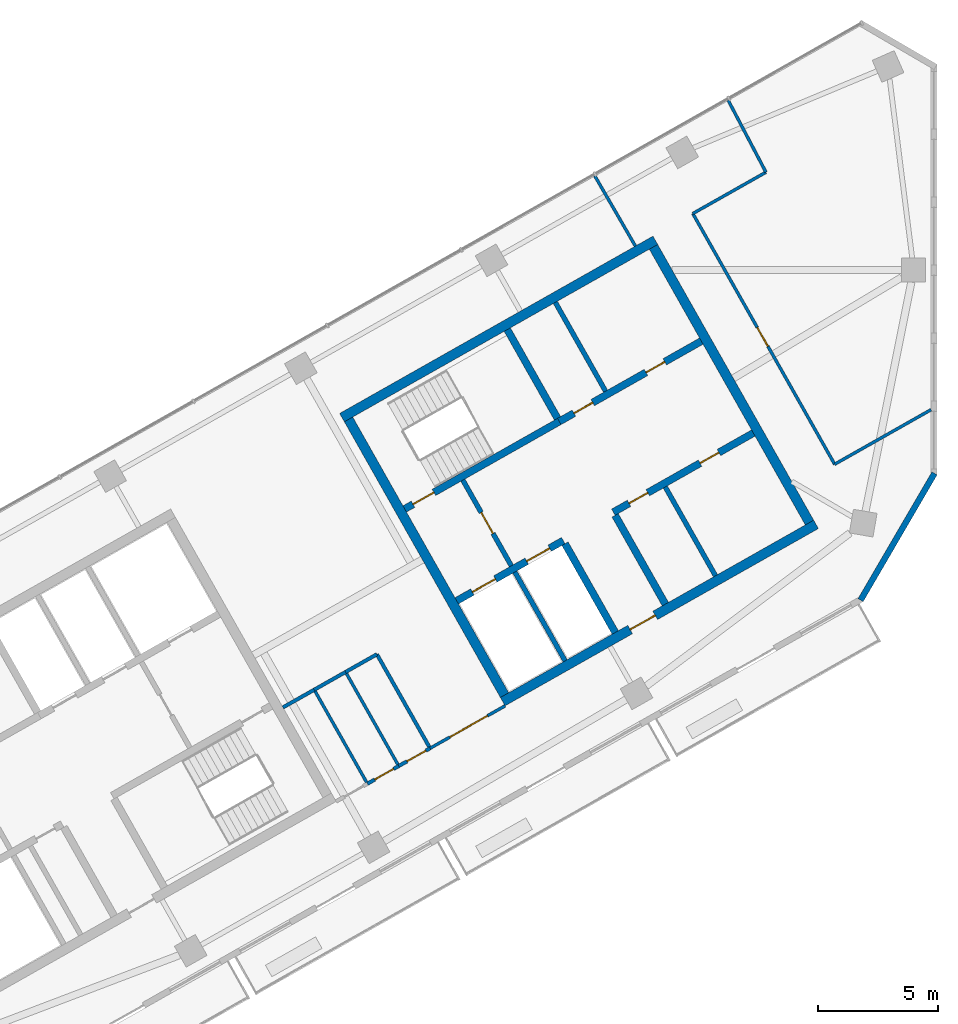
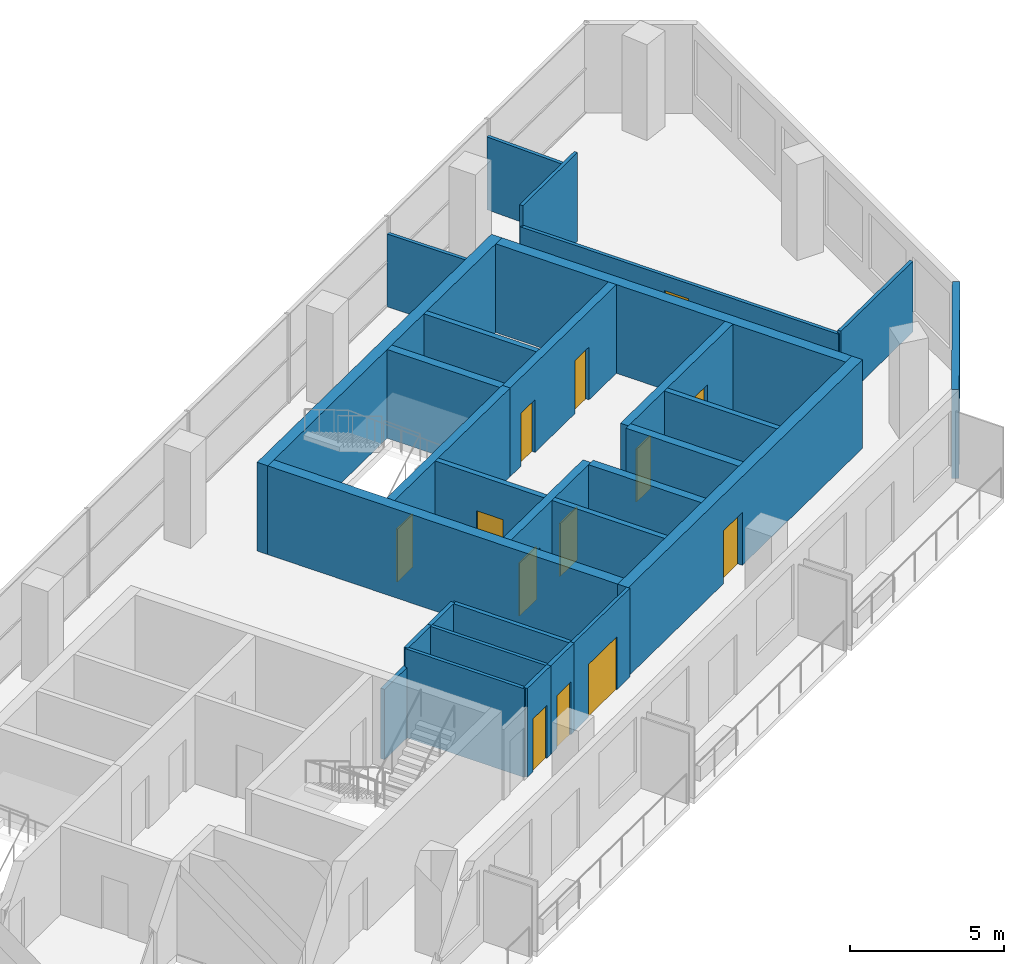
# One storey, part 7 of 10: 30 walls, 13 doors, 13 openings.
"""IFC4 building model written with IfcOpenShell, lengths in metres."""

from ifc_helpers import new_model, si_unit, direction, frame, frame_2d, origin, place, context, subcontext, project, spatial, rectangle, extrude, material, layer, layer_set, type_object, element, fill, save


model = new_model("IFC4")

# Units and contexts
model_context = context("Model", 3, precision=1e-05, world=origin(), true_north=direction((0.0, 1.0)))
body_context = subcontext(model_context, "Body", "Model", "MODEL_VIEW")
ifc_project = project(units=[si_unit("LENGTHUNIT", "METRE"), si_unit("AREAUNIT", "SQUARE_METRE"), si_unit("VOLUMEUNIT", "CUBIC_METRE"), si_unit("PLANEANGLEUNIT", "RADIAN"), si_unit("MASSUNIT", "GRAM", prefix="KILO")], contexts=[model_context])

# Site, building, storey
site_placement = place(None, origin())
site = spatial("IfcSite", under=ifc_project, at=site_placement, CompositionType="ELEMENT")
building_placement = place(site_placement, origin())
building = spatial("IfcBuilding", under=site, at=building_placement, Name="Binnacle Exchange Tower", CompositionType="ELEMENT")
storey_placement = place(building_placement, frame((0.0, 0.0, 320.300048828125)))
storey = spatial("IfcBuildingStorey", under=building, at=storey_placement, Name="L72", CompositionType="ELEMENT", Elevation=320.300048828125)

# Walls
ifc_material_1 = material(Name="Gypsum partition fire rated")
ifc_layer_1 = layer(ifc_material_1, 0.199951171875)
ifc_layer_set_1 = layer_set([ifc_layer_1], Name="Core partition 200")
wall_type_1 = type_object("IfcWallType", Name="Core partition 200", PredefinedType="PARTITIONING", material=ifc_layer_set_1)
for number, where, z_axis, x_axis, name in (
    (1, (-15.783203125, 58.653564453125, 0.0), (0.0, 0.0, 1.0), (0.492441437811, -0.870345580977, 0.0), "Core wall CRWC17"),
    (2, (-11.201904296875, 50.96240234375, 0.0), (0.0, 0.0, 1.0), (0.492441437811, -0.870345580977, 0.0), "Core wall CRWC19"),
):
    element("IfcWall", number, at=place(storey_placement, frame(where, z_axis=z_axis, x_axis=x_axis)), inside=storey, type_object=wall_type_1, Name=name, PredefinedType="PARTITIONING", context=body_context, shape_type="SweptSolid", body=[
        extrude(rectangle(XDim=4.250244140625, YDim=0.199951171875, at=frame_2d((2.125, 0.0))), origin(), (0.0, 0.0, 1.0), 3.52001953125),
    ])

# Wall, openings, doors
ifc_material_2 = material(Name="Concrete C70/85", Category="concrete")
ifc_layer_2 = layer(ifc_material_2, 0.300048828125)
ifc_layer_set_2 = layer_set([ifc_layer_2], Name="Core wall - front 300")
wall_type_2 = type_object("IfcWallType", Name="Core wall - front 300", PredefinedType="SOLIDWALL", material=ifc_layer_set_2)
wall_1_placement = place(storey_placement, frame((-19.89208984375, 46.2177734375, 0.0), z_axis=(0.0, 0.0, 1.0), x_axis=(0.870341639186, 0.492448404505, 0.0)))
wall_1 = element("IfcWall", 3, at=wall_1_placement, inside=storey, type_object=wall_type_2, Name="Core wall CRWC2", PredefinedType="SOLIDWALL", context=body_context, shape_type="SweptSolid", body=[
    extrude(rectangle(XDim=5.099853515625, YDim=0.300048828125, at=frame_2d((2.5498046875, 0.0))), origin(), (0.0, 0.0, 1.0), 3.52001953125),
])
opening_1_placement = place(wall_1_placement, frame((0.75, 0.0, 0.0)))
opening_1 = element("IfcOpeningElement", 4, at=opening_1_placement, cuts=wall_1, Name="Opening LD14", PredefinedType="OPENING", context=body_context, shape_type="SweptSolid", body=[
    extrude(rectangle(XDim=1.10009765625, YDim=2.10009765625, at=frame_2d((0.550048828125, 1.050048828125))), frame((0.0, 0.159912109375, 0.0), z_axis=(0.0, -1.0, 0.0), x_axis=(1.0, 0.0, 0.0)), (0.0, 0.0, 1.0), 0.320068359375),
])
opening_2_placement = place(wall_1_placement, frame((3.35009765625, 0.0, 0.0)))
opening_2 = element("IfcOpeningElement", 5, at=opening_2_placement, cuts=wall_1, Name="Opening LD11", PredefinedType="OPENING", context=body_context, shape_type="SweptSolid", body=[
    extrude(rectangle(XDim=1.10009765625, YDim=2.10009765625, at=frame_2d((0.550048828125, 1.050048828125))), frame((0.0, 0.159912109375, 0.0), z_axis=(0.0, -1.0, 0.0), x_axis=(1.0, 0.0, 0.0)), (0.0, 0.0, 1.0), 0.320068359375),
])
ifc_material_3 = material(Name="Steel door leaf", Category="steel")
door_type_1 = type_object("IfcDoorType", Name="Fire door - lift landing 1100", OperationType="NOTDEFINED", PredefinedType="DOOR", material=ifc_material_3)
door_1_placement = place(opening_1_placement, origin())
door_1 = element("IfcDoor", 6, at=door_1_placement, inside=storey, type_object=door_type_1, Name="Landing door LD14 L72", OperationType="DOUBLE_DOOR_SLIDING", OverallHeight=2.10009765625, OverallWidth=1.10009765625, PredefinedType="DOOR", context=body_context, shape_type="SweptSolid", body=[
    extrude(rectangle(XDim=1.10009765625, YDim=2.10009765625, at=frame_2d((0.550048828125, 1.050048828125))), frame((0.0, 0.02490234375, 0.0), z_axis=(0.0, -1.0, 0.0), x_axis=(1.0, 0.0, 0.0)), (0.0, 0.0, 1.0), 0.050048828125),
])
fill(opening_1, door_1)
door_2_placement = place(opening_2_placement, origin())
door_2 = element("IfcDoor", 7, at=door_2_placement, inside=storey, type_object=door_type_1, Name="Landing door LD11 L72", OperationType="DOUBLE_DOOR_SLIDING", OverallHeight=2.10009765625, OverallWidth=1.10009765625, PredefinedType="DOOR", context=body_context, shape_type="SweptSolid", body=[
    extrude(rectangle(XDim=1.10009765625, YDim=2.10009765625, at=frame_2d((0.550048828125, 1.050048828125))), frame((0.0, 0.02490234375, 0.0), z_axis=(0.0, -1.0, 0.0), x_axis=(1.0, 0.0, 0.0)), (0.0, 0.0, 1.0), 0.050048828125),
])
fill(opening_2, door_2)

wall_2_placement = place(storey_placement, frame((-13.364501953125, 49.910888671875, 0.0), z_axis=(0.0, 0.0, 1.0), x_axis=(0.870347618718, 0.492437836272, 0.0)))
wall_2 = element("IfcWall", 8, at=wall_2_placement, inside=storey, type_object=wall_type_2, Name="Core wall CRWC3", PredefinedType="SOLIDWALL", context=body_context, shape_type="SweptSolid", body=[
    extrude(rectangle(XDim=6.699951171875, YDim=0.300048828125, at=frame_2d((3.35009765625, 0.0))), origin(), (0.0, 0.0, 1.0), 3.52001953125),
])
opening_3_placement = place(wall_2_placement, frame((0.75, 0.0, 0.0)))
opening_3 = element("IfcOpeningElement", 9, at=opening_3_placement, cuts=wall_2, Name="Opening DC18", PredefinedType="OPENING", context=body_context, shape_type="SweptSolid", body=[
    extrude(rectangle(XDim=0.89990234375, YDim=2.10009765625, at=frame_2d((0.449951171875, 1.050048828125))), frame((0.0, 0.159912109375, 0.0), z_axis=(0.0, -1.0, 0.0), x_axis=(1.0, 0.0, 0.0)), (0.0, 0.0, 1.0), 0.320068359375),
])
opening_4_placement = place(wall_2_placement, frame((4.14990234375, 0.0, 0.0)))
opening_4 = element("IfcOpeningElement", 10, at=opening_4_placement, cuts=wall_2, Name="Opening DC19", PredefinedType="OPENING", context=body_context, shape_type="SweptSolid", body=[
    extrude(rectangle(XDim=0.89990234375, YDim=2.10009765625, at=frame_2d((0.449951171875, 1.050048828125))), frame((0.0, 0.159912109375, 0.0), z_axis=(0.0, -1.0, 0.0), x_axis=(1.0, 0.0, 0.0)), (0.0, 0.0, 1.0), 0.320068359375),
])
door_type_2 = type_object("IfcDoorType", Name="Fire door 900", OperationType="NOTDEFINED", PredefinedType="DOOR", material=ifc_material_3)
door_3_placement = place(opening_3_placement, frame((0.89990234375, 0.0, 0.0), z_axis=(0.0, 0.0, 1.0), x_axis=(-1.0, 0.0, 0.0)))
door_3 = element("IfcDoor", 11, at=door_3_placement, inside=storey, type_object=door_type_2, Name="Core room door IT STORE", OperationType="SINGLE_SWING_RIGHT", OverallHeight=2.10009765625, OverallWidth=0.89990234375, PredefinedType="DOOR", context=body_context, shape_type="SweptSolid", body=[
    extrude(rectangle(XDim=0.89990234375, YDim=2.10009765625, at=frame_2d((0.449951171875, 1.050048828125))), frame((0.0, 0.02490234375, 0.0), z_axis=(0.0, -1.0, 0.0), x_axis=(1.0, 0.0, 0.0)), (0.0, 0.0, 1.0), 0.050048828125),
])
fill(opening_3, door_3)
door_4_placement = place(opening_4_placement, frame((0.89990234375, 0.0, 0.0), z_axis=(0.0, 0.0, 1.0), x_axis=(-1.0, 0.0, 0.0)))
door_4 = element("IfcDoor", 12, at=door_4_placement, inside=storey, type_object=door_type_2, Name="Core room door TELECOM RISER ROOM", OperationType="SINGLE_SWING_LEFT", OverallHeight=2.10009765625, OverallWidth=0.89990234375, PredefinedType="DOOR", context=body_context, shape_type="SweptSolid", body=[
    extrude(rectangle(XDim=0.89990234375, YDim=2.10009765625, at=frame_2d((0.449951171875, 1.050048828125))), frame((0.0, 0.02490234375, 0.0), z_axis=(0.0, -1.0, 0.0), x_axis=(1.0, 0.0, 0.0)), (0.0, 0.0, 1.0), 0.050048828125),
])
fill(opening_4, door_4)

wall_3_placement = place(storey_placement, frame((-15.6181640625, 53.69140625, 0.0), z_axis=(0.0, 0.0, 1.0), x_axis=(0.870362830851, 0.492410948978, 0.0)))
wall_3 = element("IfcWall", 13, at=wall_3_placement, inside=storey, type_object=wall_type_2, Name="Core wall CRWC5", PredefinedType="SOLIDWALL", context=body_context, shape_type="SweptSolid", body=[
    extrude(rectangle(XDim=6.800048828125, YDim=0.300048828125, at=frame_2d((3.39990234375, 0.0))), origin(), (0.0, 0.0, 1.0), 3.52001953125),
])
opening_5_placement = place(wall_3_placement, frame((0.699951171875, 0.0, 0.0)))
opening_5 = element("IfcOpeningElement", 14, at=opening_5_placement, cuts=wall_3, Name="Opening DC10", PredefinedType="OPENING", context=body_context, shape_type="SweptSolid", body=[
    extrude(rectangle(XDim=0.89990234375, YDim=2.10009765625, at=frame_2d((0.449951171875, 1.050048828125))), frame((0.0, 0.159912109375, 0.0), z_axis=(0.0, -1.0, 0.0), x_axis=(1.0, 0.0, 0.0)), (0.0, 0.0, 1.0), 0.320068359375),
])
opening_6_placement = place(wall_3_placement, frame((4.14990234375, 0.0, 0.0)))
opening_6 = element("IfcOpeningElement", 15, at=opening_6_placement, cuts=wall_3, Name="Opening DC11", PredefinedType="OPENING", context=body_context, shape_type="SweptSolid", body=[
    extrude(rectangle(XDim=0.89990234375, YDim=2.10009765625, at=frame_2d((0.449951171875, 1.050048828125))), frame((0.0, 0.159912109375, 0.0), z_axis=(0.0, -1.0, 0.0), x_axis=(1.0, 0.0, 0.0)), (0.0, 0.0, 1.0), 0.320068359375),
])
door_5_placement = place(opening_5_placement, origin())
door_5 = element("IfcDoor", 16, at=door_5_placement, inside=storey, type_object=door_type_2, Name="Core room door COMMS RISER ROOM", OperationType="SINGLE_SWING_LEFT", OverallHeight=2.10009765625, OverallWidth=0.89990234375, PredefinedType="DOOR", context=body_context, shape_type="SweptSolid", body=[
    extrude(rectangle(XDim=0.89990234375, YDim=2.10009765625, at=frame_2d((0.449951171875, 1.050048828125))), frame((0.0, 0.02490234375, 0.0), z_axis=(0.0, -1.0, 0.0), x_axis=(1.0, 0.0, 0.0)), (0.0, 0.0, 1.0), 0.050048828125),
])
fill(opening_5, door_5)
door_6_placement = place(opening_6_placement, origin())
door_6 = element("IfcDoor", 17, at=door_6_placement, inside=storey, type_object=door_type_2, Name="Core room door PANTRY", OperationType="SINGLE_SWING_RIGHT", OverallHeight=2.10009765625, OverallWidth=0.89990234375, PredefinedType="DOOR", context=body_context, shape_type="SweptSolid", body=[
    extrude(rectangle(XDim=0.89990234375, YDim=2.10009765625, at=frame_2d((0.449951171875, 1.050048828125))), frame((0.0, 0.02490234375, 0.0), z_axis=(0.0, -1.0, 0.0), x_axis=(1.0, 0.0, 0.0)), (0.0, 0.0, 1.0), 0.050048828125),
])
fill(opening_6, door_6)

# Walls
wall_4_placement = place(storey_placement, frame((-15.37939453125, 48.5986328125, 0.0), z_axis=(0.0, 0.0, 1.0), x_axis=(0.492422543467, -0.870356271124, 0.0)))
element("IfcWall", 18, at=wall_4_placement, inside=storey, type_object=wall_type_2, Name="Core wall CRWC13", PredefinedType="SOLIDWALL", context=body_context, shape_type="SweptSolid", body=[
    extrude(rectangle(XDim=4.25, YDim=0.300048828125, at=frame_2d((2.125, 0.0))), origin(), (0.0, 0.0, 1.0), 3.52001953125),
])
wall_5_placement = place(storey_placement, frame((-13.29052734375, 49.780517578125, 0.0), z_axis=(0.0, 0.0, 1.0), x_axis=(0.492397924348, -0.870370199454, 0.0)))
element("IfcWall", 19, at=wall_5_placement, inside=storey, type_object=wall_type_2, Name="Core wall CRWC15", PredefinedType="SOLIDWALL", context=body_context, shape_type="SweptSolid", body=[
    extrude(rectangle(XDim=4.250244140625, YDim=0.300048828125, at=frame_2d((2.125, 0.0))), origin(), (0.0, 0.0, 1.0), 3.52001953125),
])

# Wall, opening, door
ifc_layer_3 = layer(ifc_material_2, 0.39990234375)
ifc_layer_set_3 = layer_set([ifc_layer_3], Name="Core wall - outer 400")
wall_type_3 = type_object("IfcWallType", Name="Core wall - outer 400", PredefinedType="SOLIDWALL", material=ifc_layer_set_3)
wall_6_placement = place(storey_placement, frame((-17.97509765625, 42.01708984375, 0.0), z_axis=(0.0, 0.0, 1.0), x_axis=(0.87034965173, 0.492434243055, 0.0)))
wall_6 = element("IfcWall", 20, at=wall_6_placement, inside=storey, type_object=wall_type_3, Name="Core wall CRWC1", PredefinedType="SOLIDWALL", context=body_context, shape_type="SweptSolid", body=[
    extrude(rectangle(XDim=15.0, YDim=0.39990234375, at=frame_2d((7.5, 0.0))), origin(), (0.0, 0.0, 1.0), 3.52001953125),
])
opening_7_placement = place(wall_6_placement, frame((6.10009765625, 0.0, 0.0)))
opening_7 = element("IfcOpeningElement", 21, at=opening_7_placement, cuts=wall_6, Name="Opening DC7", PredefinedType="OPENING", context=body_context, shape_type="SweptSolid", body=[
    extrude(rectangle(XDim=1.199951171875, YDim=2.10009765625, at=frame_2d((0.60009765625, 1.050048828125))), frame((0.0, 0.2099609375, 0.0), z_axis=(0.0, -1.0, 0.0), x_axis=(1.0, 0.0, 0.0)), (0.0, 0.0, 1.0), 0.419921875),
])
door_type_3 = type_object("IfcDoorType", Name="Fire door 1200", OperationType="NOTDEFINED", PredefinedType="DOOR", material=ifc_material_3)
door_7_placement = place(opening_7_placement, frame((1.199951171875, 0.0, 0.0), z_axis=(0.0, 0.0, 1.0), x_axis=(-1.0, 0.0, 0.0)))
door_7 = element("IfcDoor", 22, at=door_7_placement, inside=storey, type_object=door_type_3, Name="Lift lobby entrance door core C", OperationType="SINGLE_SWING_RIGHT", OverallHeight=2.10009765625, OverallWidth=1.199951171875, PredefinedType="DOOR", context=body_context, shape_type="SweptSolid", body=[
    extrude(rectangle(XDim=1.199951171875, YDim=2.10009765625, at=frame_2d((0.60009765625, 1.050048828125))), frame((0.0, 0.02490234375, 0.0), z_axis=(0.0, -1.0, 0.0), x_axis=(1.0, 0.0, 0.0)), (0.0, 0.0, 1.0), 0.050048828125),
])
fill(opening_7, door_7)

# Walls
wall_7_placement = place(storey_placement, frame((-24.672119140625, 53.85400390625, 0.0), z_axis=(0.0, 0.0, 1.0), x_axis=(0.870353598469, 0.492427267353, 0.0)))
element("IfcWall", 23, at=wall_7_placement, inside=storey, type_object=wall_type_3, Name="Core wall CRWC6", PredefinedType="SOLIDWALL", context=body_context, shape_type="SweptSolid", body=[
    extrude(rectangle(XDim=15.000244140625, YDim=0.39990234375, at=frame_2d((7.5, 0.0))), origin(), (0.0, 0.0, 1.0), 3.52001953125),
])
for number, where, z_axis, x_axis, name in (
    (24, (-24.399658203125, 53.778564453125, 0.0), (0.0, 0.0, 1.0), (0.492421663121, -0.870356769198, 0.0), "Core wall CRWC7"),
    (25, (-11.6923828125, 60.968017578125, 0.0), (0.0, 0.0, 1.0), (0.492421663121, -0.870356769198, 0.0), "Core wall CRWC24"),
):
    element("IfcWall", number, at=place(storey_placement, frame(where, z_axis=z_axis, x_axis=x_axis)), inside=storey, type_object=wall_type_3, Name=name, PredefinedType="SOLIDWALL", context=body_context, shape_type="SweptSolid", body=[
        extrude(rectangle(XDim=13.199951171875, YDim=0.39990234375, at=frame_2d((6.60009765625, 0.0))), origin(), (0.0, 0.0, 1.0), 3.52001953125),
    ])

# Wall, opening, door
ifc_layer_4 = layer(ifc_material_2, 0.300048828125)
ifc_layer_set_4 = layer_set([ifc_layer_4], Name="Core wall - stair 300")
wall_type_4 = type_object("IfcWallType", Name="Core wall - stair 300", PredefinedType="SOLIDWALL", material=ifc_layer_set_4)
wall_8_placement = place(storey_placement, frame((-22.058837890625, 50.04736328125, 0.0), z_axis=(0.0, 0.0, 1.0), x_axis=(0.87035077051, 0.49243226567, 0.0)))
wall_8 = element("IfcWall", 26, at=wall_8_placement, inside=storey, type_object=wall_type_4, Name="Core wall CRWC4", PredefinedType="SOLIDWALL", context=body_context, shape_type="SweptSolid", body=[
    extrude(rectangle(XDim=7.400146484375, YDim=0.300048828125, at=frame_2d((3.7001953125, 0.0))), origin(), (0.0, 0.0, 1.0), 3.52001953125),
])
opening_8_placement = place(wall_8_placement, frame((0.39990234375, 0.0, 0.0)))
opening_8 = element("IfcOpeningElement", 27, at=opening_8_placement, cuts=wall_8, Name="Opening DC1", PredefinedType="OPENING", context=body_context, shape_type="SweptSolid", body=[
    extrude(rectangle(XDim=1.0, YDim=2.10009765625, at=frame_2d((0.5, 1.050048828125))), frame((0.0, 0.159912109375, 0.0), z_axis=(0.0, -1.0, 0.0), x_axis=(1.0, 0.0, 0.0)), (0.0, 0.0, 1.0), 0.320068359375),
])
door_type_4 = type_object("IfcDoorType", Name="Fire door 1000", OperationType="NOTDEFINED", PredefinedType="DOOR", material=ifc_material_3)
door_8_placement = place(opening_8_placement, origin())
door_8 = element("IfcDoor", 28, at=door_8_placement, inside=storey, type_object=door_type_4, Name="Stair door ST-C1", OperationType="SINGLE_SWING_LEFT", OverallHeight=2.10009765625, OverallWidth=1.0, PredefinedType="DOOR", context=body_context, shape_type="SweptSolid", body=[
    extrude(rectangle(XDim=1.0, YDim=2.10009765625, at=frame_2d((0.5, 1.050048828125))), frame((0.0, 0.02490234375, 0.0), z_axis=(0.0, -1.0, 0.0), x_axis=(1.0, 0.0, 0.0)), (0.0, 0.0, 1.0), 0.050048828125),
])
fill(opening_8, door_8)

# Walls
wall_9_placement = place(storey_placement, frame((-17.784912109375, 57.52099609375, 0.0), z_axis=(0.0, 0.0, 1.0), x_axis=(0.492422543467, -0.870356271124, 0.0)))
element("IfcWall", 29, at=wall_9_placement, inside=storey, type_object=wall_type_4, Name="Core wall CRWC14", PredefinedType="SOLIDWALL", context=body_context, shape_type="SweptSolid", body=[
    extrude(rectangle(XDim=4.25, YDim=0.300048828125, at=frame_2d((2.125, 0.0))), origin(), (0.0, 0.0, 1.0), 3.52001953125),
])
ifc_material_4 = material(Name="Bronze aluminium cladding", Category="aluminium")
ifc_layer_5 = layer(ifc_material_4, 0.25)
ifc_layer_set_5 = layer_set([ifc_layer_5], Name="External wall - window wall 250")
wall_type_5 = type_object("IfcWallType", Name="External wall - window wall 250", PredefinedType="STANDARD", material=ifc_layer_set_5)
wall_10_placement = place(storey_placement, frame((0.01708984375, 51.529296875, 0.0), z_axis=(0.0, 0.0, 1.0), x_axis=(-0.503769237131, -0.863838269424, 0.0)))
element("IfcWall", 30, at=wall_10_placement, inside=storey, type_object=wall_type_5, Name="External wall EW-H00 L72", PredefinedType="STANDARD", context=body_context, shape_type="SweptSolid", body=[
    extrude(rectangle(XDim=6.114501953125, YDim=0.25, at=frame_2d((3.05712890625, 0.0))), origin(), (0.0, 0.0, 1.0), 3.52001953125),
])

# Wall, opening, door
ifc_material_5 = material(Name="Masonry block wall", Category="masonry")
ifc_layer_6 = layer(ifc_material_5, 0.199951171875)
ifc_layer_set_6 = layer_set([ifc_layer_6], Name="Fire wall - vestibule 200")
wall_type_6 = type_object("IfcWallType", Name="Fire wall - vestibule 200", PredefinedType="PARTITIONING", material=ifc_layer_set_6)
wall_11_placement = place(storey_placement, frame((-19.635009765625, 51.246337890625, 0.0), z_axis=(0.0, 0.0, 1.0), x_axis=(0.492408451753, -0.87036424366, 0.0)))
wall_11 = element("IfcWall", 31, at=wall_11_placement, inside=storey, type_object=wall_type_6, Name="Core wall CRWC10", PredefinedType="PARTITIONING", context=body_context, shape_type="SweptSolid", body=[
    extrude(rectangle(XDim=4.099853515625, YDim=0.199951171875, at=frame_2d((2.0498046875, 0.0))), origin(), (0.0, 0.0, 1.0), 3.52001953125),
])
opening_9_placement = place(wall_11_placement, frame((1.550048828125, 0.0, 0.0)))
opening_9 = element("IfcOpeningElement", 32, at=opening_9_placement, cuts=wall_11, Name="Opening DC3", PredefinedType="OPENING", context=body_context, shape_type="SweptSolid", body=[
    extrude(rectangle(XDim=1.0, YDim=2.10009765625, at=frame_2d((0.5, 1.050048828125))), frame((0.0, 0.10986328125, 0.0), z_axis=(0.0, -1.0, 0.0), x_axis=(1.0, 0.0, 0.0)), (0.0, 0.0, 1.0), 0.219970703125),
])
door_9_placement = place(opening_9_placement, frame((1.0, 0.0, 0.0), z_axis=(0.0, 0.0, 1.0), x_axis=(-1.0, 0.0, 0.0)))
door_9 = element("IfcDoor", 33, at=door_9_placement, inside=storey, type_object=door_type_4, Name="Vestibule door VEST-W", OperationType="SINGLE_SWING_RIGHT", OverallHeight=2.10009765625, OverallWidth=1.0, PredefinedType="DOOR", context=body_context, shape_type="SweptSolid", body=[
    extrude(rectangle(XDim=1.0, YDim=2.10009765625, at=frame_2d((0.5, 1.050048828125))), frame((0.0, 0.02490234375, 0.0), z_axis=(0.0, -1.0, 0.0), x_axis=(1.0, 0.0, 0.0)), (0.0, 0.0, 1.0), 0.050048828125),
])
fill(opening_9, door_9)

# Walls
ifc_layer_7 = layer(ifc_material_1, 0.14990234375)
ifc_layer_set_7 = layer_set([ifc_layer_7], Name="Fire-rated partition 150")
wall_type_7 = type_object("IfcWallType", Name="Fire-rated partition 150", PredefinedType="PARTITIONING", material=ifc_layer_set_7)
wall_12_placement = place(storey_placement, frame((-27.134033203125, 41.77587890625, 0.0), z_axis=(0.0, 0.0, 1.0), x_axis=(0.870429354291, 0.492293346683, 0.0)))
element("IfcWall", 34, at=wall_12_placement, inside=storey, type_object=wall_type_7, Name="Partition W03", PredefinedType="PARTITIONING", context=body_context, shape_type="SweptSolid", body=[
    extrude(rectangle(XDim=1.499267578125, YDim=0.14990234375, at=frame_2d((0.74951171875, 0.0))), origin(), (0.0, 0.0, 1.0), 2.7919921875),
])
wall_13_placement = place(storey_placement, frame((-25.8291015625, 42.513916015625, 0.0), z_axis=(0.0, 0.0, 1.0), x_axis=(0.870347633314, 0.492437810475, 0.0)))
element("IfcWall", 35, at=wall_13_placement, inside=storey, type_object=wall_type_7, Name="Partition W04", PredefinedType="PARTITIONING", context=body_context, shape_type="SweptSolid", body=[
    extrude(rectangle(XDim=1.500732421875, YDim=0.14990234375, at=frame_2d((0.75048828125, 0.0))), origin(), (0.0, 0.0, 1.0), 3.52001953125),
])
wall_14_placement = place(storey_placement, frame((-24.52294921875, 43.2529296875, 0.0), z_axis=(0.0, 0.0, 1.0), x_axis=(0.870150176056, 0.492786638526, 0.0)))
element("IfcWall", 36, at=wall_14_placement, inside=storey, type_object=wall_type_7, Name="Partition W07", PredefinedType="PARTITIONING", context=body_context, shape_type="SweptSolid", body=[
    extrude(rectangle(XDim=1.499755859375, YDim=0.14990234375, at=frame_2d((0.75, 0.0))), origin(), (0.0, 0.0, 1.0), 3.52001953125),
])

# Wall, opening, door
wall_15_placement = place(storey_placement, frame((-23.613037109375, 38.597900390625, 0.0), z_axis=(0.0, 0.0, 1.0), x_axis=(0.870429354291, 0.492293346683, 0.0)))
wall_15 = element("IfcWall", 37, at=wall_15_placement, inside=storey, type_object=wall_type_7, Name="Partition W09", PredefinedType="PARTITIONING", context=body_context, shape_type="SweptSolid", body=[
    extrude(rectangle(XDim=1.499267578125, YDim=0.14990234375, at=frame_2d((0.74951171875, 0.0))), origin(), (0.0, 0.0, 1.0), 3.52001953125),
])
opening_10_placement = place(wall_15_placement, frame((0.35009765625, 0.0, 0.0)))
opening_10 = element("IfcOpeningElement", 38, at=opening_10_placement, cuts=wall_15, Name="Opening DL71-03", PredefinedType="OPENING", context=body_context, shape_type="SweptSolid", body=[
    extrude(rectangle(XDim=0.89990234375, YDim=2.10009765625, at=frame_2d((0.449951171875, 1.050048828125))), frame((0.0, 0.0849609375, 0.0), z_axis=(0.0, -1.0, 0.0), x_axis=(1.0, 0.0, 0.0)), (0.0, 0.0, 1.0), 0.169921875),
])
door_10_placement = place(opening_10_placement, origin())
door_10 = element("IfcDoor", 39, at=door_10_placement, inside=storey, type_object=door_type_2, Name="Door DL71-03", OperationType="SINGLE_SWING_RIGHT", OverallHeight=2.10009765625, OverallWidth=0.89990234375, PredefinedType="DOOR", context=body_context, shape_type="SweptSolid", body=[
    extrude(rectangle(XDim=0.89990234375, YDim=2.10009765625, at=frame_2d((0.449951171875, 1.050048828125))), frame((0.0, 0.02490234375, 0.0), z_axis=(0.0, -1.0, 0.0), x_axis=(1.0, 0.0, 0.0)), (0.0, 0.0, 1.0), 0.050048828125),
])
fill(opening_10, door_10)

# Wall
wall_16_placement = place(storey_placement, frame((-23.218017578125, 43.991943359375, 0.0), z_axis=(0.0, 0.0, 1.0), x_axis=(0.492412939134, -0.87036170491, 0.0)))
element("IfcWall", 40, at=wall_16_placement, inside=storey, type_object=wall_type_7, Name="Partition W10", PredefinedType="PARTITIONING", context=body_context, shape_type="SweptSolid", body=[
    extrude(rectangle(XDim=4.50048828125, YDim=0.14990234375, at=frame_2d((2.250244140625, 0.0))), origin(), (0.0, 0.0, 1.0), 3.52001953125),
])

# Wall, opening, door
wall_17_placement = place(storey_placement, frame((-22.30810546875, 39.3359375, 0.0), z_axis=(0.0, 0.0, 1.0), x_axis=(0.870347633314, 0.492437810475, 0.0)))
wall_17 = element("IfcWall", 41, at=wall_17_placement, inside=storey, type_object=wall_type_7, Name="Partition W11", PredefinedType="PARTITIONING", context=body_context, shape_type="SweptSolid", body=[
    extrude(rectangle(XDim=1.500732421875, YDim=0.14990234375, at=frame_2d((0.75048828125, 0.0))), origin(), (0.0, 0.0, 1.0), 3.52001953125),
])
opening_11_placement = place(wall_17_placement, frame((0.39990234375, 0.0, 0.0)))
opening_11 = element("IfcOpeningElement", 42, at=opening_11_placement, cuts=wall_17, Name="Opening DL71-04", PredefinedType="OPENING", context=body_context, shape_type="SweptSolid", body=[
    extrude(rectangle(XDim=0.89990234375, YDim=2.10009765625, at=frame_2d((0.449951171875, 1.050048828125))), frame((0.0, 0.0849609375, 0.0), z_axis=(0.0, -1.0, 0.0), x_axis=(1.0, 0.0, 0.0)), (0.0, 0.0, 1.0), 0.169921875),
])
door_11_placement = place(opening_11_placement, origin())
door_11 = element("IfcDoor", 43, at=door_11_placement, inside=storey, type_object=door_type_2, Name="Door DL71-04", OperationType="SINGLE_SWING_RIGHT", OverallHeight=2.10009765625, OverallWidth=0.89990234375, PredefinedType="DOOR", context=body_context, shape_type="SweptSolid", body=[
    extrude(rectangle(XDim=0.89990234375, YDim=2.10009765625, at=frame_2d((0.449951171875, 1.050048828125))), frame((0.0, 0.02490234375, 0.0), z_axis=(0.0, -1.0, 0.0), x_axis=(1.0, 0.0, 0.0)), (0.0, 0.0, 1.0), 0.050048828125),
])
fill(opening_11, door_11)

# Walls
ifc_material_6 = material(Name="Gypsum partition")
ifc_layer_8 = layer(ifc_material_6, 0.125)
ifc_layer_set_8 = layer_set([ifc_layer_8], Name="Partition 125")
wall_type_8 = type_object("IfcWallType", Name="Partition 125", PredefinedType="PARTITIONING", material=ifc_layer_set_8)
wall_18_placement = place(storey_placement, frame((-25.8291015625, 42.513916015625, 0.0), z_axis=(0.0, 0.0, 1.0), x_axis=(0.492505952474, -0.870309075431, 0.0)))
element("IfcWall", 44, at=wall_18_placement, inside=storey, type_object=wall_type_8, Name="Partition W05", PredefinedType="PARTITIONING", context=body_context, shape_type="SweptSolid", body=[
    extrude(rectangle(XDim=4.49951171875, YDim=0.125, at=frame_2d((2.249755859375, 0.0))), origin(), (0.0, 0.0, 1.0), 3.52001953125),
])
wall_19_placement = place(storey_placement, frame((-24.52294921875, 43.2529296875, 0.0), z_axis=(0.0, 0.0, 1.0), x_axis=(0.492207424062, -0.870477944406, 0.0)))
element("IfcWall", 45, at=wall_19_placement, inside=storey, type_object=wall_type_8, Name="Partition W08", PredefinedType="PARTITIONING", context=body_context, shape_type="SweptSolid", body=[
    extrude(rectangle(XDim=4.499755859375, YDim=0.125, at=frame_2d((2.25, 0.0))), origin(), (0.0, 0.0, 1.0), 3.52001953125),
])

# Wall, opening, door
wall_20_placement = place(storey_placement, frame((-21.001953125, 40.074951171875, 0.0), z_axis=(0.0, 0.0, 1.0), x_axis=(0.870352535776, 0.492429145632, 0.0)))
wall_20 = element("IfcWall", 46, at=wall_20_placement, inside=storey, type_object=wall_type_8, Name="Partition W12", PredefinedType="PARTITIONING", context=body_context, shape_type="SweptSolid", body=[
    extrude(rectangle(XDim=3.590576171875, YDim=0.125, at=frame_2d((1.79541015625, 0.0))), origin(), (0.0, 0.0, 1.0), 3.52001953125),
])
opening_12_placement = place(wall_20_placement, frame((0.949951171875, 0.0, 0.0)))
opening_12 = element("IfcOpeningElement", 47, at=opening_12_placement, cuts=wall_20, Name="Opening DL71-05", PredefinedType="OPENING", context=body_context, shape_type="SweptSolid", body=[
    extrude(rectangle(XDim=1.800048828125, YDim=2.10009765625, at=frame_2d((0.89990234375, 1.050048828125))), frame((0.0, 0.072509765625, 0.0), z_axis=(0.0, -1.0, 0.0), x_axis=(1.0, 0.0, 0.0)), (0.0, 0.0, 1.0), 0.14501953125),
])
ifc_material_7 = material(Name="Timber door leaf", Category="wood")
door_type_5 = type_object("IfcDoorType", Name="Double door 1800", OperationType="NOTDEFINED", PredefinedType="DOOR", material=ifc_material_7)
door_12_placement = place(opening_12_placement, origin())
door_12 = element("IfcDoor", 48, at=door_12_placement, inside=storey, type_object=door_type_5, Name="Door DL71-05", OperationType="DOUBLE_DOOR_SINGLE_SWING", OverallHeight=2.10009765625, OverallWidth=1.800048828125, PredefinedType="DOOR", context=body_context, shape_type="SweptSolid", body=[
    extrude(rectangle(XDim=1.800048828125, YDim=2.10009765625, at=frame_2d((0.89990234375, 1.050048828125))), frame((0.0, 0.02490234375, 0.0), z_axis=(0.0, -1.0, 0.0), x_axis=(1.0, 0.0, 0.0)), (0.0, 0.0, 1.0), 0.050048828125),
])
fill(opening_12, door_12)

# Walls
wall_21_placement = place(storey_placement, frame((-14.14111328125, 63.929931640625, 0.0), z_axis=(0.0, 0.0, 1.0), x_axis=(0.500677851844, -0.865633691969, 0.0)))
element("IfcWall", 49, at=wall_21_placement, inside=storey, type_object=wall_type_8, Name="Partition W13", PredefinedType="PARTITIONING", context=body_context, shape_type="SweptSolid", body=[
    extrude(rectangle(XDim=3.383544921875, YDim=0.125, at=frame_2d((1.69189453125, 0.0))), origin(), (0.0, 0.0, 1.0), 2.887939453125),
])
wall_22_placement = place(storey_placement, frame((-10.053955078125, 62.35498046875, 0.0), z_axis=(0.0, 0.0, 1.0), x_axis=(0.870470590541, 0.492220429283, 0.0)))
element("IfcWall", 50, at=wall_22_placement, inside=storey, type_object=wall_type_8, Name="Partition W14", PredefinedType="PARTITIONING", context=body_context, shape_type="SweptSolid", body=[
    extrude(rectangle(XDim=3.500244140625, YDim=0.125, at=frame_2d((1.75, 0.0))), origin(), (0.0, 0.0, 1.0), 3.52001953125),
])

# Wall, opening, door
wall_23_placement = place(storey_placement, frame((-10.053955078125, 62.35498046875, 0.0), z_axis=(0.0, 0.0, 1.0), x_axis=(0.49244734164, -0.870342240565, 0.0)))
wall_23 = element("IfcWall", 51, at=wall_23_placement, inside=storey, type_object=wall_type_8, Name="Partition W15", PredefinedType="PARTITIONING", context=body_context, shape_type="SweptSolid", body=[
    extrude(rectangle(XDim=12.001220703125, YDim=0.125, at=frame_2d((6.00048828125, 0.0))), origin(), (0.0, 0.0, 1.0), 2.699951171875),
])
opening_13_placement = place(wall_23_placement, frame((5.449951171875, 0.0, 0.0)))
opening_13 = element("IfcOpeningElement", 52, at=opening_13_placement, cuts=wall_23, Name="Opening DL71-06", PredefinedType="OPENING", context=body_context, shape_type="SweptSolid", body=[
    extrude(rectangle(XDim=0.89990234375, YDim=2.10009765625, at=frame_2d((0.449951171875, 1.050048828125))), frame((0.0, 0.072509765625, 0.0), z_axis=(0.0, -1.0, 0.0), x_axis=(1.0, 0.0, 0.0)), (0.0, 0.0, 1.0), 0.14501953125),
])
door_type_6 = type_object("IfcDoorType", Name="Door 900", OperationType="NOTDEFINED", PredefinedType="DOOR", material=ifc_material_7)
door_13_placement = place(opening_13_placement, origin())
door_13 = element("IfcDoor", 53, at=door_13_placement, inside=storey, type_object=door_type_6, Name="Door DL71-06", OperationType="SINGLE_SWING_LEFT", OverallHeight=2.10009765625, OverallWidth=0.89990234375, PredefinedType="DOOR", context=body_context, shape_type="SweptSolid", body=[
    extrude(rectangle(XDim=0.89990234375, YDim=2.10009765625, at=frame_2d((0.449951171875, 1.050048828125))), frame((0.0, 0.02490234375, 0.0), z_axis=(0.0, -1.0, 0.0), x_axis=(1.0, 0.0, 0.0)), (0.0, 0.0, 1.0), 0.050048828125),
])
fill(opening_13, door_13)

# Walls
wall_24_placement = place(storey_placement, frame((-8.5810546875, 67.075927734375, 0.0), z_axis=(0.0, 0.0, 1.0), x_axis=(0.46483389899, -0.885397902838, 0.0)))
element("IfcWall", 54, at=wall_24_placement, inside=storey, type_object=wall_type_8, Name="Partition W16", PredefinedType="PARTITIONING", context=body_context, shape_type="SweptSolid", body=[
    extrude(rectangle(XDim=3.385986328125, YDim=0.125, at=frame_2d((1.69287109375, 0.0))), origin(), (0.0, 0.0, 1.0), 2.887939453125),
])
wall_25_placement = place(storey_placement, frame((-4.14404296875, 51.909912109375, 0.0), z_axis=(0.0, 0.0, 1.0), x_axis=(0.870327404496, 0.49247356171, 0.0)))
element("IfcWall", 55, at=wall_25_placement, inside=storey, type_object=wall_type_8, Name="Partition W17", PredefinedType="PARTITIONING", context=body_context, shape_type="SweptSolid", body=[
    extrude(rectangle(XDim=4.617919921875, YDim=0.125, at=frame_2d((2.30908203125, 0.0))), origin(), (0.0, 0.0, 1.0), 2.800048828125),
])
ifc_layer_9 = layer(ifc_material_5, 0.199951171875)
ifc_layer_set_9 = layer_set([ifc_layer_9], Name="Shaft wall 200")
wall_type_9 = type_object("IfcWallType", Name="Shaft wall 200", PredefinedType="SOLIDWALL", material=ifc_layer_set_9)
wall_26_placement = place(storey_placement, frame((-17.468505859375, 47.416748046875, 0.0), z_axis=(0.0, 0.0, 1.0), x_axis=(0.492466057713, -0.870331650579, 0.0)))
element("IfcWall", 56, at=wall_26_placement, inside=storey, type_object=wall_type_9, Name="Core wall CRWC9", PredefinedType="SOLIDWALL", context=body_context, shape_type="SweptSolid", body=[
    extrude(rectangle(XDim=4.25, YDim=0.199951171875, at=frame_2d((2.125, 0.0))), origin(), (0.0, 0.0, 1.0), 3.52001953125),
])

save(model, "model.ifc")
